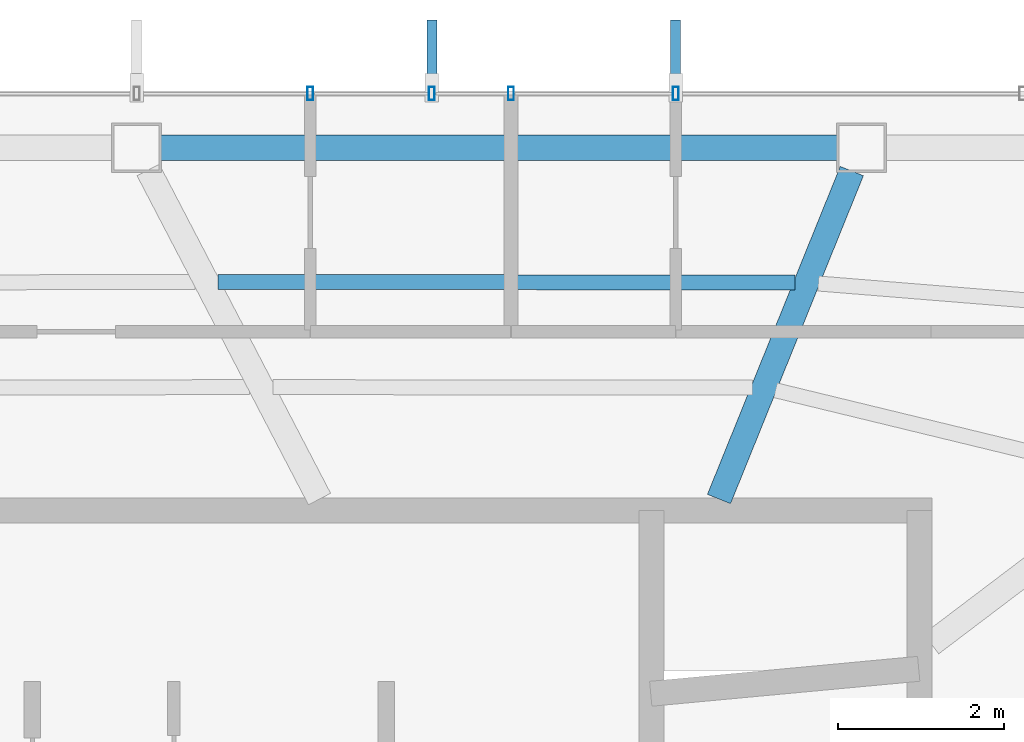
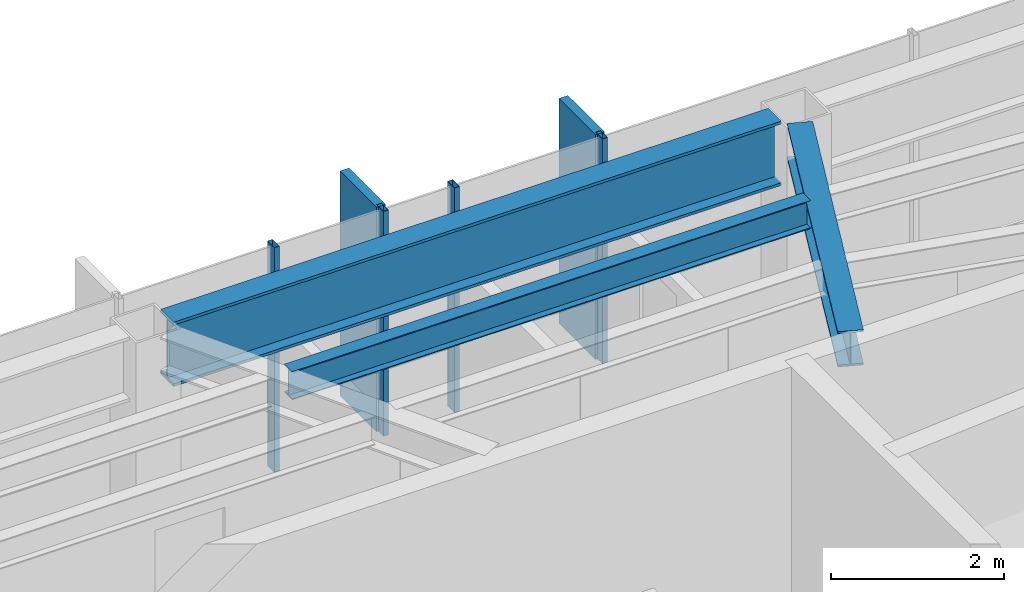
# One storey, part 13 of 25: 6 members, 3 beams, 1 element without a shape of its own.
"""IFC4 building model written with IfcOpenShell, lengths in metres."""

from ifc_helpers import new_model, si_unit, direction, frame, origin, origin_2d, place, context, subcontext, project, spatial, rectangle, hollow_rectangle, i_section, extrude, material, layer, layer_set, material_profile, profile_set, type_object, element, aggregate, save


model = new_model("IFC4")

# Units and contexts
model_context = context("Model", 3, precision=1e-05, world=origin(), true_north=direction((0.0, 1.0)))
body_context = subcontext(model_context, "Body", "Model", "MODEL_VIEW")
ifc_project = project(units=[si_unit("LENGTHUNIT", "METRE"), si_unit("AREAUNIT", "SQUARE_METRE"), si_unit("VOLUMEUNIT", "CUBIC_METRE"), si_unit("PLANEANGLEUNIT", "RADIAN"), si_unit("MASSUNIT", "GRAM", prefix="KILO")], contexts=[model_context])

# Site, building, storey
site_placement = place(None, origin())
site = spatial("IfcSite", under=ifc_project, at=site_placement, CompositionType="ELEMENT")
building_placement = place(site_placement, origin())
building = spatial("IfcBuilding", under=site, at=building_placement, Name="Zarrinselat Tower", CompositionType="ELEMENT")
storey_placement = place(building_placement, frame((0.0, 0.0, 208.760009765625)))
storey = spatial("IfcBuildingStorey", under=building, at=storey_placement, Name="L51", CompositionType="ELEMENT", Elevation=208.760009765625)

# Beams
ifc_material_1 = material(Name="Steel S355J2", Category="steel")
ifc_material_profile_1 = material_profile(ifc_material_1, i_section(OverallWidth=0.300048828125, OverallDepth=0.5, WebThickness=0.014404296875, FlangeThickness=0.028076171875, at=origin_2d()), Name="HEB 500")
ifc_profile_set_1 = profile_set([ifc_material_profile_1], Name="Steel S355J2")
beam_type_1 = type_object("IfcBeamType", Name="BM-HEB500", PredefinedType="BEAM", material=ifc_profile_set_1)
beam_1_placement = place(storey_placement, frame((45.800048828125, 43.5400390625, 2.929931640625), z_axis=(0.375485204643, 0.926828388157, 0.0), x_axis=(-0.926828388157, 0.375485204643, 0.0)))
element("IfcBeam", 1, at=beam_1_placement, inside=storey, type_object=beam_type_1, Name="L51 Radial Primary Girder RG02", PredefinedType="BEAM", context=body_context, shape_type="SweptSolid", body=[
    extrude(i_section(OverallWidth=0.300048828125, OverallDepth=0.5, WebThickness=0.014404296875, FlangeThickness=0.028076171875, at=origin_2d()), origin(), (0.0, 0.0, 1.0), 4.252197265625),
])
ifc_material_2 = material(Name="Steel S460M", Category="steel")
ifc_material_profile_2 = material_profile(ifc_material_2, i_section(OverallWidth=0.302001953125, OverallDepth=0.909912109375, WebThickness=0.02099609375, FlangeThickness=0.0400390625, at=origin_2d()), Name="HEM 900")
ifc_profile_set_2 = profile_set([ifc_material_profile_2], Name="Steel S460M")
beam_type_2 = type_object("IfcBeamType", Name="BM-HEM900", PredefinedType="BEAM", material=ifc_profile_set_2)
beam_2_placement = place(storey_placement, frame((39.090087890625, 47.760986328125, 2.72509765625), z_axis=(1.0, 0.0, 0.0), x_axis=(0.0, 1.0, 0.0)))
element("IfcBeam", 2, at=beam_2_placement, inside=storey, type_object=beam_type_2, Name="L51 Perimeter Spandrel Girder SP02", PredefinedType="BEAM", context=body_context, shape_type="SweptSolid", body=[
    extrude(i_section(OverallWidth=0.302001953125, OverallDepth=0.909912109375, WebThickness=0.02099609375, FlangeThickness=0.0400390625, at=origin_2d()), origin(), (0.0, 0.0, 1.0), 8.132080078125),
])
ifc_material_3 = material(Name="Steel S355J2", Category="steel")
ifc_material_profile_3 = material_profile(ifc_material_3, i_section(OverallWidth=0.179931640625, OverallDepth=0.39990234375, WebThickness=0.008544921875, FlangeThickness=0.013427734375, at=origin_2d()), Name="IPE 400")
ifc_profile_set_3 = profile_set([ifc_material_profile_3], Name="Steel S355J2")
beam_type_3 = type_object("IfcBeamType", Name="BM-IPE400", PredefinedType="JOIST", material=ifc_profile_set_3)
beam_3_placement = place(storey_placement, frame((39.781494140625, 46.14892578125, 2.97998046875), z_axis=(0.999999404051, -0.001091740853, 0.0), x_axis=(0.001091740853, 0.999999404051, 0.0)))
element("IfcBeam", 3, at=beam_3_placement, inside=storey, type_object=beam_type_3, Name="L51 Composite Floor Joist 7-1", PredefinedType="JOIST", context=body_context, shape_type="SweptSolid", body=[
    extrude(i_section(OverallWidth=0.179931640625, OverallDepth=0.39990234375, WebThickness=0.008544921875, FlangeThickness=0.013427734375, at=origin_2d()), origin(), (0.0, 0.0, 1.0), 6.932373046875),
])

# Curtain wall, members
ifc_material_4 = material(Name="Extruded Aluminium Alloy EN AW-6063 T6", Category="aluminium")
ifc_layer = layer(ifc_material_4, 0.169921875)
ifc_layer_set = layer_set([ifc_layer], Name="Extruded Aluminium Alloy EN AW-6063 T6")
curtain_wall_type = type_object("IfcCurtainWallType", Name="CWS-RES", PredefinedType="NOTDEFINED", material=ifc_layer_set)
curtain_wall_placement = place(storey_placement, origin())
curtain_wall = element("IfcCurtainWall", 4, at=curtain_wall_placement, inside=storey, type_object=curtain_wall_type, Name="L51 Unitised Curtain Wall CW-L51-E01", PredefinedType="NOTDEFINED")
ifc_material_5 = material(Name="Extruded Aluminium Alloy EN AW-6063 T6", Category="aluminium")
ifc_material_profile_4 = material_profile(ifc_material_5, hollow_rectangle(XDim=0.070068359375, YDim=0.159912109375, WallThickness=0.00390625, at=origin_2d()), Name="RHS 160x70x4")
ifc_profile_set_4 = profile_set([ifc_material_profile_4], Name="Extruded Aluminium Alloy EN AW-6063 T6")
member_type_1 = type_object("IfcMemberType", Name="MEM-CW-MUL2", PredefinedType="MULLION", material=ifc_profile_set_4)
member_1_placement = place(storey_placement, frame((45.280029296875, 48.4111328125, 0.0), z_axis=(0.0, 0.0, 1.0), x_axis=(-1.0, 0.0, 0.0)))
member_1 = element("IfcMember", 5, at=member_1_placement, type_object=member_type_1, Name="CW-L51-E01 Mullion 3", PredefinedType="MULLION", context=body_context, shape_type="SweptSolid", body=[
    extrude(hollow_rectangle(XDim=0.070068359375, YDim=0.159912109375, WallThickness=0.00390625, at=origin_2d()), origin(), (0.0, 0.0, 1.0), 3.179931640625),
])
member_2_placement = place(storey_placement, frame((43.300048828125, 48.4111328125, 0.0), z_axis=(0.0, 0.0, 1.0), x_axis=(-1.0, 0.0, 0.0)))
member_2 = element("IfcMember", 6, at=member_2_placement, type_object=member_type_1, Name="CW-L51-E01 Mullion 4", PredefinedType="MULLION", context=body_context, shape_type="SweptSolid", body=[
    extrude(hollow_rectangle(XDim=0.070068359375, YDim=0.159912109375, WallThickness=0.00390625, at=origin_2d()), origin(), (0.0, 0.0, 1.0), 3.179931640625),
])
member_3_placement = place(storey_placement, frame((42.349853515625, 48.4111328125, 0.0), z_axis=(0.0, 0.0, 1.0), x_axis=(-1.0, 0.0, 0.0)))
member_3 = element("IfcMember", 7, at=member_3_placement, type_object=member_type_1, Name="CW-L51-E01 Mullion 5", PredefinedType="MULLION", context=body_context, shape_type="SweptSolid", body=[
    extrude(hollow_rectangle(XDim=0.070068359375, YDim=0.159912109375, WallThickness=0.00390625, at=origin_2d()), origin(), (0.0, 0.0, 1.0), 3.179931640625),
])
member_4_placement = place(storey_placement, frame((40.88916015625, 48.4111328125, 0.0), z_axis=(0.0, 0.0, 1.0), x_axis=(-1.0, 0.0, 0.0)))
member_4 = element("IfcMember", 8, at=member_4_placement, type_object=member_type_1, Name="CW-L51-E01 Mullion 6", PredefinedType="MULLION", context=body_context, shape_type="SweptSolid", body=[
    extrude(hollow_rectangle(XDim=0.070068359375, YDim=0.159912109375, WallThickness=0.00390625, at=origin_2d()), origin(), (0.0, 0.0, 1.0), 3.179931640625),
])
ifc_material_6 = material(Name="Honed Cream Travertine Stone", Category="masonry")
ifc_material_profile_5 = material_profile(ifc_material_6, rectangle(XDim=0.1201171875, YDim=0.85009765625, at=origin_2d()), Name="FIN 850x120")
ifc_profile_set_5 = profile_set([ifc_material_profile_5], Name="Honed Cream Travertine Stone")
member_type_2 = type_object("IfcMemberType", Name="MEM-STONE-FIN", PredefinedType="USERDEFINED", material=ifc_profile_set_5)
member_5_placement = place(storey_placement, frame((45.280029296875, 48.87109375, 0.0), z_axis=(0.0, 0.0, 1.0), x_axis=(1.0, 0.0, 0.0)))
member_5 = element("IfcMember", 9, at=member_5_placement, type_object=member_type_2, Name="L51 Stone Shading Fin CW-L51-E01-03", ObjectType="FIN", PredefinedType="USERDEFINED", context=body_context, shape_type="SweptSolid", body=[
    extrude(rectangle(XDim=0.1201171875, YDim=0.85009765625, at=origin_2d()), origin(), (0.0, 0.0, 1.0), 3.179931640625),
])
member_6_placement = place(storey_placement, frame((42.349853515625, 48.87109375, 0.0), z_axis=(0.0, 0.0, 1.0), x_axis=(1.0, 0.0, 0.0)))
member_6 = element("IfcMember", 10, at=member_6_placement, type_object=member_type_2, Name="L51 Stone Shading Fin CW-L51-E01-05", ObjectType="FIN", PredefinedType="USERDEFINED", context=body_context, shape_type="SweptSolid", body=[
    extrude(rectangle(XDim=0.1201171875, YDim=0.85009765625, at=origin_2d()), origin(), (0.0, 0.0, 1.0), 3.179931640625),
])
aggregate(curtain_wall, [member_1, member_5, member_2, member_3, member_6, member_4])

save(model, "model.ifc")
